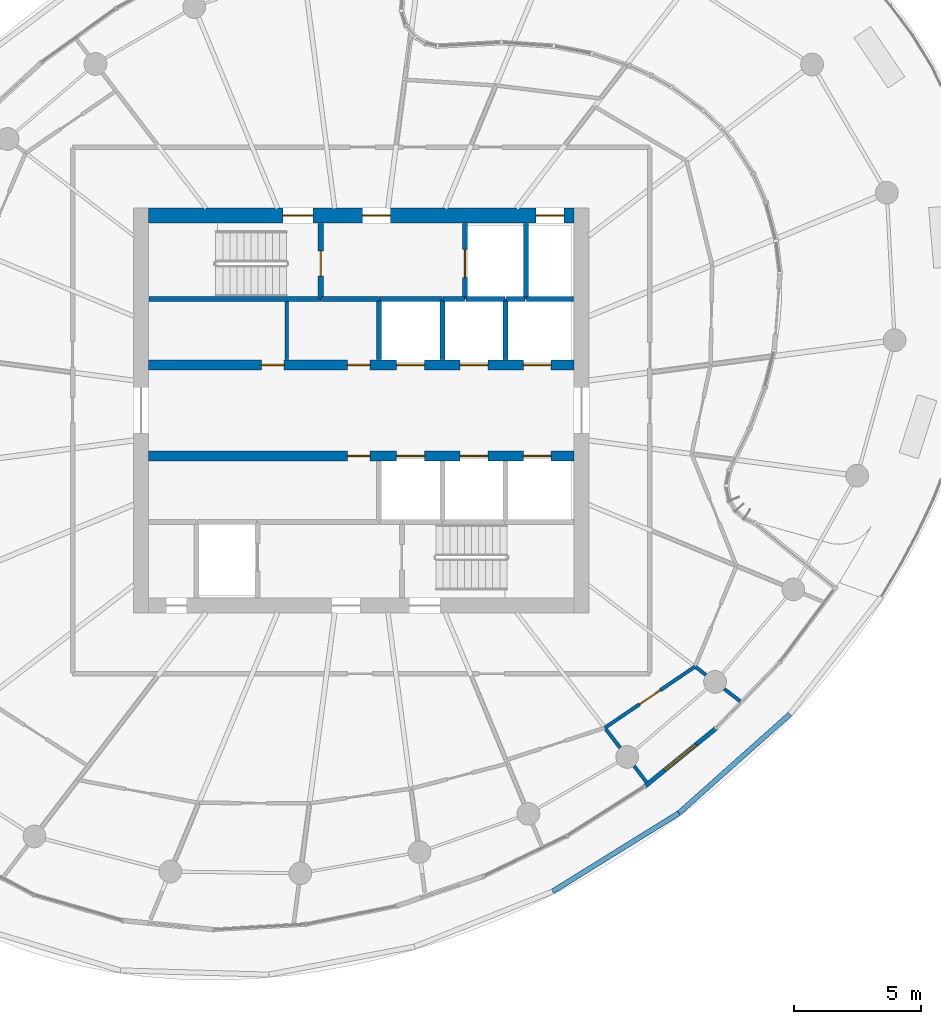
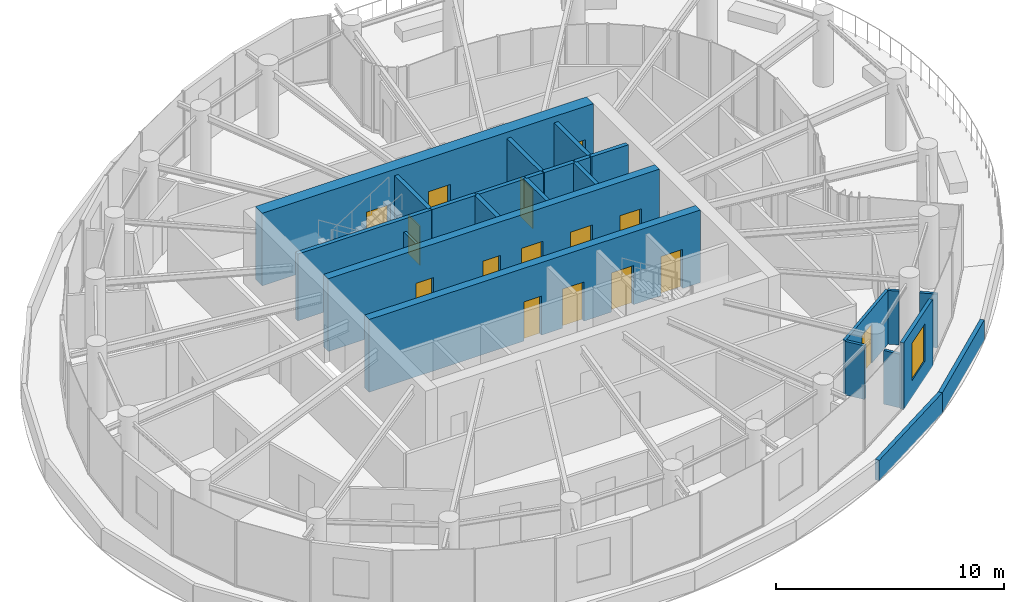
# One storey, part 13 of 19: 25 walls, 15 doors, 1 window, 16 openings.
"""IFC4 building model written with IfcOpenShell, lengths in metres."""

from ifc_helpers import new_model, si_unit, direction, frame, frame_2d, origin, place, context, subcontext, project, spatial, rectangle, extrude, source, transform, mapped, material, layer, layer_set, type_object, element, fill, save


model = new_model("IFC4")

# Units and contexts
model_context = context("Model", 3, precision=1e-05, world=origin(), true_north=direction((0.0, 1.0)))
body_context = subcontext(model_context, "Body", "Model", "MODEL_VIEW")
ifc_project = project(units=[si_unit("LENGTHUNIT", "METRE"), si_unit("AREAUNIT", "SQUARE_METRE"), si_unit("VOLUMEUNIT", "CUBIC_METRE"), si_unit("PLANEANGLEUNIT", "RADIAN"), si_unit("MASSUNIT", "GRAM", prefix="KILO")], contexts=[model_context])

# Site, building, storey
site_placement = place(None, origin())
site = spatial("IfcSite", under=ifc_project, at=site_placement, CompositionType="ELEMENT")
building_placement = place(site_placement, origin())
building = spatial("IfcBuilding", under=site, at=building_placement, Name="Spindrift Exchange Tower", CompositionType="ELEMENT")
storey_placement = place(building_placement, frame((0.0, 0.0, 183.800048828125)))
storey = spatial("IfcBuildingStorey", under=building, at=storey_placement, Name="L44", CompositionType="ELEMENT", Elevation=183.800048828125)

# Walls
ifc_material_1 = material(Name="Concrete 40 MPa", Category="concrete")
ifc_layer_1 = layer(ifc_material_1, 0.199951171875)
ifc_layer_set_1 = layer_set([ifc_layer_1], Name="LEDGE PARAPET 1100")
wall_type_1 = type_object("IfcWallType", Name="LEDGE PARAPET 1100", PredefinedType="PARAPET", material=ifc_layer_set_1)
wall_1_placement = place(storey_placement, frame((68.9248046875, 36.005126953125, 0.0), z_axis=(0.0, 0.0, 1.0), x_axis=(-0.746520458461, -0.665362461444, 0.0)))
element("IfcWall", 1, at=wall_1_placement, inside=storey, type_object=wall_type_1, Name="L44 Ledge Parapet 2", PredefinedType="PARAPET", context=body_context, shape_type="SweptSolid", body=[
    extrude(rectangle(XDim=5.869140625, YDim=0.199951171875, at=frame_2d((2.9345703125, 0.0))), origin(), (0.0, 0.0, 1.0), 1.099853515625),
])
wall_2_placement = place(storey_placement, frame((64.54345703125, 32.10009765625, 0.0), z_axis=(0.0, 0.0, 1.0), x_axis=(-0.849674226438, -0.527307982991, 0.0)))
element("IfcWall", 2, at=wall_2_placement, inside=storey, type_object=wall_type_1, Name="L44 Ledge Parapet 3", PredefinedType="PARAPET", context=body_context, shape_type="SweptSolid", body=[
    extrude(rectangle(XDim=5.869384765625, YDim=0.199951171875, at=frame_2d((2.9345703125, 0.0))), origin(), (0.0, 0.0, 1.0), 1.099853515625),
])

# Wall, openings, doors
ifc_material_2 = material(Name="Concrete 50 MPa", Category="concrete")
ifc_layer_2 = layer(ifc_material_2, 0.60009765625)
ifc_layer_set_2 = layer_set([ifc_layer_2], Name="RC Core Wall 600 Concrete 50 MPa")
wall_type_2 = type_object("IfcWallType", Name="RC Core Wall 600 Concrete 50 MPa", PredefinedType="SHEAR", material=ifc_layer_set_2)
wall_3_placement = place(storey_placement, frame((60.39990234375, 55.699951171875, 0.0), z_axis=(0.0, 0.0, 1.0), x_axis=(-1.0, 0.0, 0.0)))
wall_3 = element("IfcWall", 3, at=wall_3_placement, inside=storey, type_object=wall_type_2, Name="Core wall N L44", PredefinedType="SHEAR", context=body_context, shape_type="SweptSolid", body=[
    extrude(rectangle(XDim=16.7998046875, YDim=0.60009765625, at=frame_2d((8.39990234375, 0.0))), origin(), (0.0, 0.0, 1.0), 3.89990234375),
])
opening_1_placement = place(wall_3_placement, frame((0.39990234375, 0.0, 0.0)))
opening_1 = element("IfcOpeningElement", 4, at=opening_1_placement, cuts=wall_3, Name="Opening L44-D11", PredefinedType="OPENING", context=body_context, shape_type="SweptSolid", body=[
    extrude(rectangle(XDim=1.10009765625, YDim=2.10009765625, at=frame_2d((0.550048828125, 1.050048828125))), frame((0.0, 0.31005859375, 0.0), z_axis=(0.0, -1.0, 0.0), x_axis=(1.0, 0.0, 0.0)), (0.0, 0.0, 1.0), 0.6201171875),
])
opening_2_placement = place(wall_3_placement, frame((10.300048828125, 0.0, 0.0)))
opening_2 = element("IfcOpeningElement", 5, at=opening_2_placement, cuts=wall_3, Name="Opening L44-D12", PredefinedType="OPENING", context=body_context, shape_type="SweptSolid", body=[
    extrude(rectangle(XDim=1.199951171875, YDim=2.10009765625, at=frame_2d((0.60009765625, 1.050048828125))), frame((0.0, 0.31005859375, 0.0), z_axis=(0.0, -1.0, 0.0), x_axis=(1.0, 0.0, 0.0)), (0.0, 0.0, 1.0), 0.6201171875),
])
opening_3_placement = place(wall_3_placement, frame((7.25, 0.0, 0.0)))
opening_3 = element("IfcOpeningElement", 6, at=opening_3_placement, cuts=wall_3, Name="Opening L44-D14", PredefinedType="OPENING", context=body_context, shape_type="SweptSolid", body=[
    extrude(rectangle(XDim=1.10009765625, YDim=2.10009765625, at=frame_2d((0.550048828125, 1.050048828125))), frame((0.0, 0.31005859375, 0.0), z_axis=(0.0, -1.0, 0.0), x_axis=(1.0, 0.0, 0.0)), (0.0, 0.0, 1.0), 0.6201171875),
])
ifc_material_3 = material(Name="Stainless steel landing door", Category="steel")
door_type_1 = type_object("IfcDoorType", Name="DR-LANDING-1100-SL", OperationType="DOUBLE_DOOR_SLIDING", PredefinedType="USERDEFINED", material=ifc_material_3)
shared_shape_1 = source(origin(), body_context, "Body", "SweptSolid", [
    extrude(rectangle(XDim=1.10009765625, YDim=2.10009765625, at=frame_2d((0.550048828125, 1.050048828125))), frame((0.0, 0.02490234375, 0.0), z_axis=(0.0, -1.0, 0.0), x_axis=(1.0, 0.0, 0.0)), (0.0, 0.0, 1.0), 0.050048828125),
])
door_1_placement = place(opening_1_placement, origin())
door_1 = element("IfcDoor", 7, at=door_1_placement, inside=storey, type_object=door_type_1, Name="L44 Lift landing door 11", ObjectType="LANDING DOOR", OperationType="DOUBLE_DOOR_SLIDING", OverallHeight=2.10009765625, OverallWidth=1.10009765625, PredefinedType="USERDEFINED", context=body_context, shape_type="MappedRepresentation", body=[
    mapped(shared_shape_1, transform((0.0, 0.0, 0.0), scale=1.0)),
])
fill(opening_1, door_1)
ifc_material_4 = material(Name="Steel fire door", Category="steel")
door_type_2 = type_object("IfcDoorType", Name="DR-STAIR-1200", OperationType="NOTDEFINED", PredefinedType="DOOR", material=ifc_material_4)
shared_shape_2 = source(origin(), body_context, "Body", "SweptSolid", [
    extrude(rectangle(XDim=1.199951171875, YDim=2.10009765625, at=frame_2d((0.60009765625, 1.050048828125))), frame((0.0, 0.02490234375, 0.0), z_axis=(0.0, -1.0, 0.0), x_axis=(1.0, 0.0, 0.0)), (0.0, 0.0, 1.0), 0.050048828125),
])
door_2_placement = place(opening_2_placement, origin())
door_2 = element("IfcDoor", 8, at=door_2_placement, inside=storey, type_object=door_type_2, Name="L44 Stair door 12", OperationType="SINGLE_SWING_LEFT", OverallHeight=2.10009765625, OverallWidth=1.199951171875, PredefinedType="DOOR", context=body_context, shape_type="MappedRepresentation", body=[
    mapped(shared_shape_2, transform((0.0, 0.0, 0.0), scale=1.0)),
])
fill(opening_2, door_2)
ifc_material_5 = material(Name="Timber-core fire door", Category="wood")
door_type_3 = type_object("IfcDoorType", Name="DR-LOBBY-1100", OperationType="NOTDEFINED", PredefinedType="DOOR", material=ifc_material_5)
shared_shape_3 = source(origin(), body_context, "Body", "SweptSolid", [
    extrude(rectangle(XDim=1.10009765625, YDim=2.10009765625, at=frame_2d((0.550048828125, 1.050048828125))), frame((0.0, 0.02490234375, 0.0), z_axis=(0.0, -1.0, 0.0), x_axis=(1.0, 0.0, 0.0)), (0.0, 0.0, 1.0), 0.050048828125),
])
door_3_placement = place(opening_3_placement, origin())
door_3 = element("IfcDoor", 9, at=door_3_placement, inside=storey, type_object=door_type_3, Name="L44 Lobby door 14", OperationType="SINGLE_SWING_LEFT", OverallHeight=2.10009765625, OverallWidth=1.10009765625, PredefinedType="DOOR", context=body_context, shape_type="MappedRepresentation", body=[
    mapped(shared_shape_3, transform((0.0, 0.0, 0.0), scale=1.0)),
])
fill(opening_3, door_3)

ifc_layer_3 = layer(ifc_material_2, 0.39990234375)
ifc_layer_set_3 = layer_set([ifc_layer_3], Name="RC Spine Wall 400 Concrete 50 MPa")
wall_type_3 = type_object("IfcWallType", Name="RC Spine Wall 400 Concrete 50 MPa", PredefinedType="SHEAR", material=ifc_layer_set_3)
wall_4_placement = place(storey_placement, frame((43.60009765625, 49.800048828125, 0.0), z_axis=(0.0, 0.0, 1.0), x_axis=(1.0, 0.0, 0.0)))
wall_4 = element("IfcWall", 10, at=wall_4_placement, inside=storey, type_object=wall_type_3, Name="Core spine wall N L44", PredefinedType="SHEAR", context=body_context, shape_type="SweptSolid", body=[
    extrude(rectangle(XDim=16.7998046875, YDim=0.39990234375, at=frame_2d((8.39990234375, 0.0))), origin(), (0.0, 0.0, 1.0), 3.89990234375),
])
opening_4_placement = place(wall_4_placement, frame((9.800048828125, 0.0, 0.0)))
opening_4 = element("IfcOpeningElement", 11, at=opening_4_placement, cuts=wall_4, Name="Opening L44-D3", PredefinedType="OPENING", context=body_context, shape_type="SweptSolid", body=[
    extrude(rectangle(XDim=1.10009765625, YDim=2.10009765625, at=frame_2d((0.550048828125, 1.050048828125))), frame((0.0, 0.2099609375, 0.0), z_axis=(0.0, -1.0, 0.0), x_axis=(1.0, 0.0, 0.0)), (0.0, 0.0, 1.0), 0.419921875),
])
opening_5_placement = place(wall_4_placement, frame((12.300048828125, 0.0, 0.0)))
opening_5 = element("IfcOpeningElement", 12, at=opening_5_placement, cuts=wall_4, Name="Opening L44-D4", PredefinedType="OPENING", context=body_context, shape_type="SweptSolid", body=[
    extrude(rectangle(XDim=1.10009765625, YDim=2.10009765625, at=frame_2d((0.550048828125, 1.050048828125))), frame((0.0, 0.2099609375, 0.0), z_axis=(0.0, -1.0, 0.0), x_axis=(1.0, 0.0, 0.0)), (0.0, 0.0, 1.0), 0.419921875),
])
opening_6_placement = place(wall_4_placement, frame((14.800048828125, 0.0, 0.0)))
opening_6 = element("IfcOpeningElement", 13, at=opening_6_placement, cuts=wall_4, Name="Opening L44-D5", PredefinedType="OPENING", context=body_context, shape_type="SweptSolid", body=[
    extrude(rectangle(XDim=1.10009765625, YDim=2.10009765625, at=frame_2d((0.550048828125, 1.050048828125))), frame((0.0, 0.2099609375, 0.0), z_axis=(0.0, -1.0, 0.0), x_axis=(1.0, 0.0, 0.0)), (0.0, 0.0, 1.0), 0.419921875),
])
opening_7_placement = place(wall_4_placement, frame((4.449951171875, 0.0, 0.0)))
opening_7 = element("IfcOpeningElement", 14, at=opening_7_placement, cuts=wall_4, Name="Opening L44-D46", PredefinedType="OPENING", context=body_context, shape_type="SweptSolid", body=[
    extrude(rectangle(XDim=0.89990234375, YDim=2.10009765625, at=frame_2d((0.449951171875, 1.050048828125))), frame((0.0, 0.2099609375, 0.0), z_axis=(0.0, -1.0, 0.0), x_axis=(1.0, 0.0, 0.0)), (0.0, 0.0, 1.0), 0.419921875),
])
opening_8_placement = place(wall_4_placement, frame((7.85009765625, 0.0, 0.0)))
opening_8 = element("IfcOpeningElement", 15, at=opening_8_placement, cuts=wall_4, Name="Opening L44-D47", PredefinedType="OPENING", context=body_context, shape_type="SweptSolid", body=[
    extrude(rectangle(XDim=0.89990234375, YDim=2.10009765625, at=frame_2d((0.449951171875, 1.050048828125))), frame((0.0, 0.2099609375, 0.0), z_axis=(0.0, -1.0, 0.0), x_axis=(1.0, 0.0, 0.0)), (0.0, 0.0, 1.0), 0.419921875),
])
door_4_placement = place(opening_4_placement, origin())
door_4 = element("IfcDoor", 16, at=door_4_placement, inside=storey, type_object=door_type_1, Name="L44 Lift landing door 3", ObjectType="LANDING DOOR", OperationType="DOUBLE_DOOR_SLIDING", OverallHeight=2.10009765625, OverallWidth=1.10009765625, PredefinedType="USERDEFINED", context=body_context, shape_type="MappedRepresentation", body=[
    mapped(shared_shape_1, transform((0.0, 0.0, 0.0), scale=1.0)),
])
fill(opening_4, door_4)
door_5_placement = place(opening_5_placement, origin())
door_5 = element("IfcDoor", 17, at=door_5_placement, inside=storey, type_object=door_type_1, Name="L44 Lift landing door 4", ObjectType="LANDING DOOR", OperationType="DOUBLE_DOOR_SLIDING", OverallHeight=2.10009765625, OverallWidth=1.10009765625, PredefinedType="USERDEFINED", context=body_context, shape_type="MappedRepresentation", body=[
    mapped(shared_shape_1, transform((0.0, 0.0, 0.0), scale=1.0)),
])
fill(opening_5, door_5)
door_6_placement = place(opening_6_placement, origin())
door_6 = element("IfcDoor", 18, at=door_6_placement, inside=storey, type_object=door_type_1, Name="L44 Lift landing door 5", ObjectType="LANDING DOOR", OperationType="DOUBLE_DOOR_SLIDING", OverallHeight=2.10009765625, OverallWidth=1.10009765625, PredefinedType="USERDEFINED", context=body_context, shape_type="MappedRepresentation", body=[
    mapped(shared_shape_1, transform((0.0, 0.0, 0.0), scale=1.0)),
])
fill(opening_6, door_6)
ifc_material_6 = material(Name="Steel access door", Category="steel")
door_type_4 = type_object("IfcDoorType", Name="DR-RISER-900", OperationType="NOTDEFINED", PredefinedType="DOOR", material=ifc_material_6)
shared_shape_4 = source(origin(), body_context, "Body", "SweptSolid", [
    extrude(rectangle(XDim=0.89990234375, YDim=2.10009765625, at=frame_2d((0.449951171875, 1.050048828125))), frame((0.0, 0.02490234375, 0.0), z_axis=(0.0, -1.0, 0.0), x_axis=(1.0, 0.0, 0.0)), (0.0, 0.0, 1.0), 0.050048828125),
])
door_7_placement = place(opening_7_placement, origin())
door_7 = element("IfcDoor", 19, at=door_7_placement, inside=storey, type_object=door_type_4, Name="L44 Riser door 46", OperationType="SINGLE_SWING_LEFT", OverallHeight=2.10009765625, OverallWidth=0.89990234375, PredefinedType="DOOR", context=body_context, shape_type="MappedRepresentation", body=[
    mapped(shared_shape_4, transform((0.0, 0.0, 0.0), scale=1.0)),
])
fill(opening_7, door_7)
door_8_placement = place(opening_8_placement, origin())
door_8 = element("IfcDoor", 20, at=door_8_placement, inside=storey, type_object=door_type_4, Name="L44 Riser door 47", OperationType="SINGLE_SWING_RIGHT", OverallHeight=2.10009765625, OverallWidth=0.89990234375, PredefinedType="DOOR", context=body_context, shape_type="MappedRepresentation", body=[
    mapped(shared_shape_4, transform((0.0, 0.0, 0.0), scale=1.0)),
])
fill(opening_8, door_8)

wall_5_placement = place(storey_placement, frame((43.60009765625, 46.199951171875, 0.0), z_axis=(0.0, 0.0, 1.0), x_axis=(1.0, 0.0, 0.0)))
wall_5 = element("IfcWall", 21, at=wall_5_placement, inside=storey, type_object=wall_type_3, Name="Core spine wall S L44", PredefinedType="SHEAR", context=body_context, shape_type="SweptSolid", body=[
    extrude(rectangle(XDim=16.7998046875, YDim=0.39990234375, at=frame_2d((8.39990234375, 0.0))), origin(), (0.0, 0.0, 1.0), 3.89990234375),
])
opening_9_placement = place(wall_5_placement, frame((9.800048828125, 0.0, 0.0)))
opening_9 = element("IfcOpeningElement", 22, at=opening_9_placement, cuts=wall_5, Name="Opening L44-D6", PredefinedType="OPENING", context=body_context, shape_type="SweptSolid", body=[
    extrude(rectangle(XDim=1.10009765625, YDim=2.10009765625, at=frame_2d((0.550048828125, 1.050048828125))), frame((0.0, 0.2099609375, 0.0), z_axis=(0.0, -1.0, 0.0), x_axis=(1.0, 0.0, 0.0)), (0.0, 0.0, 1.0), 0.419921875),
])
opening_10_placement = place(wall_5_placement, frame((12.300048828125, 0.0, 0.0)))
opening_10 = element("IfcOpeningElement", 23, at=opening_10_placement, cuts=wall_5, Name="Opening L44-D7", PredefinedType="OPENING", context=body_context, shape_type="SweptSolid", body=[
    extrude(rectangle(XDim=1.10009765625, YDim=2.10009765625, at=frame_2d((0.550048828125, 1.050048828125))), frame((0.0, 0.2099609375, 0.0), z_axis=(0.0, -1.0, 0.0), x_axis=(1.0, 0.0, 0.0)), (0.0, 0.0, 1.0), 0.419921875),
])
opening_11_placement = place(wall_5_placement, frame((14.800048828125, 0.0, 0.0)))
opening_11 = element("IfcOpeningElement", 24, at=opening_11_placement, cuts=wall_5, Name="Opening L44-D8", PredefinedType="OPENING", context=body_context, shape_type="SweptSolid", body=[
    extrude(rectangle(XDim=1.10009765625, YDim=2.10009765625, at=frame_2d((0.550048828125, 1.050048828125))), frame((0.0, 0.2099609375, 0.0), z_axis=(0.0, -1.0, 0.0), x_axis=(1.0, 0.0, 0.0)), (0.0, 0.0, 1.0), 0.419921875),
])
opening_12_placement = place(wall_5_placement, frame((7.85009765625, 0.0, 0.0)))
opening_12 = element("IfcOpeningElement", 25, at=opening_12_placement, cuts=wall_5, Name="Opening L44-D48", PredefinedType="OPENING", context=body_context, shape_type="SweptSolid", body=[
    extrude(rectangle(XDim=0.89990234375, YDim=2.10009765625, at=frame_2d((0.449951171875, 1.050048828125))), frame((0.0, 0.2099609375, 0.0), z_axis=(0.0, -1.0, 0.0), x_axis=(1.0, 0.0, 0.0)), (0.0, 0.0, 1.0), 0.419921875),
])
door_9_placement = place(opening_9_placement, origin())
door_9 = element("IfcDoor", 26, at=door_9_placement, inside=storey, type_object=door_type_1, Name="L44 Lift landing door 6", ObjectType="LANDING DOOR", OperationType="DOUBLE_DOOR_SLIDING", OverallHeight=2.10009765625, OverallWidth=1.10009765625, PredefinedType="USERDEFINED", context=body_context, shape_type="MappedRepresentation", body=[
    mapped(shared_shape_1, transform((0.0, 0.0, 0.0), scale=1.0)),
])
fill(opening_9, door_9)
door_10_placement = place(opening_10_placement, origin())
door_10 = element("IfcDoor", 27, at=door_10_placement, inside=storey, type_object=door_type_1, Name="L44 Lift landing door 7", ObjectType="LANDING DOOR", OperationType="DOUBLE_DOOR_SLIDING", OverallHeight=2.10009765625, OverallWidth=1.10009765625, PredefinedType="USERDEFINED", context=body_context, shape_type="MappedRepresentation", body=[
    mapped(shared_shape_1, transform((0.0, 0.0, 0.0), scale=1.0)),
])
fill(opening_10, door_10)
door_11_placement = place(opening_11_placement, origin())
door_11 = element("IfcDoor", 28, at=door_11_placement, inside=storey, type_object=door_type_1, Name="L44 Lift landing door 8", ObjectType="LANDING DOOR", OperationType="DOUBLE_DOOR_SLIDING", OverallHeight=2.10009765625, OverallWidth=1.10009765625, PredefinedType="USERDEFINED", context=body_context, shape_type="MappedRepresentation", body=[
    mapped(shared_shape_1, transform((0.0, 0.0, 0.0), scale=1.0)),
])
fill(opening_11, door_11)
door_12_placement = place(opening_12_placement, origin())
door_12 = element("IfcDoor", 29, at=door_12_placement, inside=storey, type_object=door_type_4, Name="L44 Riser door 48", OperationType="SINGLE_SWING_LEFT", OverallHeight=2.10009765625, OverallWidth=0.89990234375, PredefinedType="DOOR", context=body_context, shape_type="MappedRepresentation", body=[
    mapped(shared_shape_4, transform((0.0, 0.0, 0.0), scale=1.0)),
])
fill(opening_12, door_12)

# Wall, opening, window
ifc_material_7 = material(Name="Bronze anodised aluminium frame with fritted laminated glass spandrel", Category="aluminium")
ifc_layer_4 = layer(ifc_material_7, 0.179931640625)
ifc_layer_set_4 = layer_set([ifc_layer_4], Name="UNITISED FRAME WALL")
wall_type_4 = type_object("IfcWallType", Name="UNITISED FRAME WALL", PredefinedType="STANDARD", material=ifc_layer_set_4)
wall_6_placement = place(storey_placement, frame((63.212890625, 33.168701171875, 0.0), z_axis=(0.0, 0.0, 1.0), x_axis=(0.775083979565, 0.631858231426, 0.0)))
wall_6 = element("IfcWall", 30, at=wall_6_placement, inside=storey, type_object=wall_type_4, Name="L44 Frame Wall 23", PredefinedType="STANDARD", context=body_context, shape_type="SweptSolid", body=[
    extrude(rectangle(XDim=3.577880859375, YDim=0.179931640625, at=frame_2d((1.7890625, 0.0))), origin(), (0.0, 0.0, 1.0), 3.579833984375),
])
opening_13_placement = place(wall_6_placement, frame((0.989013671875, 0.0, 0.89990234375)))
opening_13 = element("IfcOpeningElement", 31, at=opening_13_placement, cuts=wall_6, Name="Opening WV44-08", PredefinedType="OPENING", context=body_context, shape_type="SweptSolid", body=[
    extrude(rectangle(XDim=1.60009765625, YDim=2.0, at=frame_2d((0.800048828125, 1.0))), frame((0.0, 0.099853515625, 0.0), z_axis=(0.0, -1.0, 0.0), x_axis=(1.0, 0.0, 0.0)), (0.0, 0.0, 1.0), 0.199951171875),
])
ifc_material_8 = material(Name="Clear laminated low-iron glass in bronze frame", Category="glass")
window_type = type_object("IfcWindowType", Name="OPERABLE CLEAR VENT 1600X2000", PartitioningType="SINGLE_PANEL", PredefinedType="WINDOW", material=ifc_material_8)
shared_shape_5 = source(origin(), body_context, "Body", "SweptSolid", [
    extrude(rectangle(XDim=1.60009765625, YDim=2.0, at=frame_2d((0.800048828125, 1.0))), frame((0.0, 0.030029296875, 0.0), z_axis=(0.0, -1.0, 0.0), x_axis=(1.0, 0.0, 0.0)), (0.0, 0.0, 1.0), 0.06005859375),
])
window_placement = place(opening_13_placement, origin())
window = element("IfcWindow", 32, at=window_placement, inside=storey, type_object=window_type, Name="L44 Operable Vent WV44-08", OverallHeight=2.0, OverallWidth=1.60009765625, PartitioningType="SINGLE_PANEL", PredefinedType="WINDOW", context=body_context, shape_type="MappedRepresentation", body=[
    mapped(shared_shape_5, transform((0.0, 0.0, 0.0), scale=1.0)),
])
fill(opening_13, window)

# Wall, opening, door
ifc_material_9 = material(Name="Fire-rated plasterboard partition", Category="gypsum")
ifc_layer_5 = layer(ifc_material_9, 0.139892578125)
ifc_layer_set_5 = layer_set([ifc_layer_5], Name="W-PART-140")
wall_type_5 = type_object("IfcWallType", Name="W-PART-140", PredefinedType="PARTITIONING", material=ifc_layer_set_5)
wall_7_placement = place(storey_placement, frame((65.181640625, 37.885498046875, 0.0), z_axis=(0.0, 0.0, 1.0), x_axis=(-0.827453202768, -0.561534680344, 0.0)))
wall_7 = element("IfcWall", 33, at=wall_7_placement, inside=storey, type_object=wall_type_5, Name="L44 Partition wall 42", PredefinedType="PARTITIONING", context=body_context, shape_type="SweptSolid", body=[
    extrude(rectangle(XDim=4.307861328125, YDim=0.139892578125, at=frame_2d((2.15380859375, 0.0))), origin(), (0.0, 0.0, 1.0), 2.8798828125),
])
opening_14_placement = place(wall_7_placement, frame((1.65771484375, 0.0, 0.0)))
opening_14 = element("IfcOpeningElement", 34, at=opening_14_placement, cuts=wall_7, Name="Opening L44-D41", PredefinedType="OPENING", context=body_context, shape_type="SweptSolid", body=[
    extrude(rectangle(XDim=1.0, YDim=2.10009765625, at=frame_2d((0.5, 1.050048828125))), frame((0.0, 0.079833984375, 0.0), z_axis=(0.0, -1.0, 0.0), x_axis=(1.0, 0.0, 0.0)), (0.0, 0.0, 1.0), 0.159912109375),
])
door_type_5 = type_object("IfcDoorType", Name="DR-ROOM-1000", OperationType="NOTDEFINED", PredefinedType="DOOR", material=ifc_material_5)
shared_shape_6 = source(origin(), body_context, "Body", "SweptSolid", [
    extrude(rectangle(XDim=1.0, YDim=2.10009765625, at=frame_2d((0.5, 1.050048828125))), frame((0.0, 0.02490234375, 0.0), z_axis=(0.0, -1.0, 0.0), x_axis=(1.0, 0.0, 0.0)), (0.0, 0.0, 1.0), 0.050048828125),
])
door_13_placement = place(opening_14_placement, origin())
door_13 = element("IfcDoor", 35, at=door_13_placement, inside=storey, type_object=door_type_5, Name="L44 Door 41", OperationType="SINGLE_SWING_RIGHT", OverallHeight=2.10009765625, OverallWidth=1.0, PredefinedType="DOOR", context=body_context, shape_type="MappedRepresentation", body=[
    mapped(shared_shape_6, transform((0.0, 0.0, 0.0), scale=1.0)),
])
fill(opening_14, door_13)

# Walls
wall_8_placement = place(storey_placement, frame((49.06005859375, 50.010009765625, 0.0), z_axis=(0.0, 0.0, 1.0), x_axis=(0.0, 1.0, 0.0)))
element("IfcWall", 36, at=wall_8_placement, inside=storey, type_object=wall_type_5, Name="L44 Partition wall 67", PredefinedType="PARTITIONING", context=body_context, shape_type="SweptSolid", body=[
    extrude(rectangle(XDim=2.2900390625, YDim=0.139892578125, at=frame_2d((1.14501953125, 0.0))), origin(), (0.0, 0.0, 1.0), 2.8798828125),
])
wall_9_placement = place(storey_placement, frame((61.659912109375, 35.410888671875, 0.0), z_axis=(0.0, 0.0, 1.0), x_axis=(0.608753072392, -0.793359752479, 0.0)))
element("IfcWall", 37, at=wall_9_placement, inside=storey, type_object=wall_type_5, Name="L44 Partition wall 82", PredefinedType="PARTITIONING", context=body_context, shape_type="SweptSolid", body=[
    extrude(rectangle(XDim=0.92431640625, YDim=0.139892578125, at=frame_2d((0.462158203125, 0.0))), origin(), (0.0, 0.0, 1.0), 2.8798828125),
])
wall_10_placement = place(storey_placement, frame((66.33154296875, 37.0029296875, 0.0), z_axis=(0.0, 0.0, 1.0), x_axis=(0.793364436395, -0.608746968011, 0.0)))
element("IfcWall", 38, at=wall_10_placement, inside=storey, type_object=wall_type_5, Name="L44 Partition wall 89", PredefinedType="PARTITIONING", context=body_context, shape_type="SweptSolid", body=[
    extrude(rectangle(XDim=0.796142578125, YDim=0.139892578125, at=frame_2d((0.39794921875, 0.0))), origin(), (0.0, 0.0, 1.0), 2.8798828125),
])
wall_11_placement = place(storey_placement, frame((62.77587890625, 33.956298828125, 0.0), z_axis=(0.0, 0.0, 1.0), x_axis=(0.608959740389, -0.793201131231, 0.0)))
element("IfcWall", 39, at=wall_11_placement, inside=storey, type_object=wall_type_5, Name="L44 Partition wall 92", PredefinedType="PARTITIONING", context=body_context, shape_type="SweptSolid", body=[
    extrude(rectangle(XDim=0.785888671875, YDim=0.139892578125, at=frame_2d((0.39306640625, 0.0))), origin(), (0.0, 0.0, 1.0), 2.8798828125),
])
wall_12_placement = place(storey_placement, frame((65.205322265625, 37.8671875, 0.0), z_axis=(0.0, 0.0, 1.0), x_axis=(0.793352294755, -0.608762791575, 0.0)))
element("IfcWall", 40, at=wall_12_placement, inside=storey, type_object=wall_type_5, Name="L44 Partition wall 93", PredefinedType="PARTITIONING", context=body_context, shape_type="SweptSolid", body=[
    extrude(rectangle(XDim=0.510498046875, YDim=0.139892578125, at=frame_2d((0.25537109375, 0.0))), origin(), (0.0, 0.0, 1.0), 2.8798828125),
])

# Wall, opening, door
ifc_layer_6 = layer(ifc_material_1, 0.199951171875)
ifc_layer_set_6 = layer_set([ifc_layer_6], Name="W-SHAFT-200")
wall_type_6 = type_object("IfcWallType", Name="W-SHAFT-200", PredefinedType="SOLIDWALL", material=ifc_layer_set_6)
wall_13_placement = place(storey_placement, frame((56.10009765625, 55.3798828125, 0.0), z_axis=(0.0, 0.0, 1.0), x_axis=(0.0, -1.0, 0.0)))
wall_13 = element("IfcWall", 41, at=wall_13_placement, inside=storey, type_object=wall_type_6, Name="L44 Shaft wall 7", PredefinedType="SOLIDWALL", context=body_context, shape_type="SweptSolid", body=[
    extrude(rectangle(XDim=2.97998046875, YDim=0.199951171875, at=frame_2d((1.489990234375, 0.0))), origin(), (0.0, 0.0, 1.0), 3.579833984375),
])
opening_15_placement = place(wall_13_placement, frame((1.030029296875, 0.0, 0.0)))
opening_15 = element("IfcOpeningElement", 42, at=opening_15_placement, cuts=wall_13, Name="Opening L44-D9", PredefinedType="OPENING", context=body_context, shape_type="SweptSolid", body=[
    extrude(rectangle(XDim=1.10009765625, YDim=2.10009765625, at=frame_2d((0.550048828125, 1.050048828125))), frame((0.0, 0.10986328125, 0.0), z_axis=(0.0, -1.0, 0.0), x_axis=(1.0, 0.0, 0.0)), (0.0, 0.0, 1.0), 0.219970703125),
])
door_14_placement = place(opening_15_placement, origin())
door_14 = element("IfcDoor", 43, at=door_14_placement, inside=storey, type_object=door_type_1, Name="L44 Lift landing door 9", ObjectType="LANDING DOOR", OperationType="DOUBLE_DOOR_SLIDING", OverallHeight=2.10009765625, OverallWidth=1.10009765625, PredefinedType="USERDEFINED", context=body_context, shape_type="MappedRepresentation", body=[
    mapped(shared_shape_1, transform((0.0, 0.0, 0.0), scale=1.0)),
])
fill(opening_15, door_14)

# Walls
wall_14_placement = place(storey_placement, frame((58.5, 52.39990234375, 0.0), z_axis=(0.0, 0.0, 1.0), x_axis=(0.0, 1.0, 0.0)))
element("IfcWall", 44, at=wall_14_placement, inside=storey, type_object=wall_type_6, Name="L44 Shaft wall 8", PredefinedType="SOLIDWALL", context=body_context, shape_type="SweptSolid", body=[
    extrude(rectangle(XDim=2.97998046875, YDim=0.199951171875, at=frame_2d((1.489990234375, 0.0))), origin(), (0.0, 0.0, 1.0), 3.579833984375),
])
wall_15_placement = place(storey_placement, frame((55.199951171875, 52.39990234375, 0.0), z_axis=(0.0, 0.0, 1.0), x_axis=(-1.0, 0.0, 0.0)))
element("IfcWall", 45, at=wall_15_placement, inside=storey, type_object=wall_type_6, Name="L44 Shaft wall 10", PredefinedType="SOLIDWALL", context=body_context, shape_type="SweptSolid", body=[
    extrude(rectangle(XDim=2.5, YDim=0.199951171875, at=frame_2d((1.25, 0.0))), origin(), (0.0, 0.0, 1.0), 3.579833984375),
])
for number, where, z_axis, x_axis, name in (
    (46, (52.699951171875, 52.3701171875, 0.0), (0.0, 0.0, 1.0), (0.0, -1.0, 0.0), "L44 Shaft wall 14"),
    (47, (55.199951171875, 50.010009765625, 0.0), (0.0, 0.0, 1.0), (0.0, 1.0, 0.0), "L44 Shaft wall 16"),
):
    element("IfcWall", number, at=place(storey_placement, frame(where, z_axis=z_axis, x_axis=x_axis)), inside=storey, type_object=wall_type_6, Name=name, PredefinedType="SOLIDWALL", context=body_context, shape_type="SweptSolid", body=[
        extrude(rectangle(XDim=2.360107421875, YDim=0.199951171875, at=frame_2d((1.18017578125, 0.0))), origin(), (0.0, 0.0, 1.0), 3.579833984375),
    ])
wall_16_placement = place(storey_placement, frame((57.699951171875, 50.010009765625, 0.0), z_axis=(0.0, 0.0, 1.0), x_axis=(0.0, 1.0, 0.0)))
element("IfcWall", 48, at=wall_16_placement, inside=storey, type_object=wall_type_6, Name="L44 Shaft wall 18", PredefinedType="SOLIDWALL", context=body_context, shape_type="SweptSolid", body=[
    extrude(rectangle(XDim=2.389892578125, YDim=0.199951171875, at=frame_2d((1.19482421875, 0.0))), origin(), (0.0, 0.0, 1.0), 3.579833984375),
])
wall_17_placement = place(storey_placement, frame((60.3798828125, 52.39990234375, 0.0), z_axis=(0.0, 0.0, 1.0), x_axis=(-1.0, 0.0, 0.0)))
element("IfcWall", 49, at=wall_17_placement, inside=storey, type_object=wall_type_6, Name="L44 Shaft wall 21", PredefinedType="SOLIDWALL", context=body_context, shape_type="SweptSolid", body=[
    extrude(rectangle(XDim=1.849853515625, YDim=0.199951171875, at=frame_2d((0.9248046875, 0.0))), origin(), (0.0, 0.0, 1.0), 3.579833984375),
])
wall_18_placement = place(storey_placement, frame((57.669921875, 52.39990234375, 0.0), z_axis=(0.0, 0.0, 1.0), x_axis=(-1.0, 0.0, 0.0)))
element("IfcWall", 50, at=wall_18_placement, inside=storey, type_object=wall_type_6, Name="L44 Shaft wall 23", PredefinedType="SOLIDWALL", context=body_context, shape_type="SweptSolid", body=[
    extrude(rectangle(XDim=1.5400390625, YDim=0.199951171875, at=frame_2d((0.77001953125, 0.0))), origin(), (0.0, 0.0, 1.0), 3.579833984375),
])
wall_19_placement = place(storey_placement, frame((56.070068359375, 52.39990234375, 0.0), z_axis=(0.0, 0.0, 1.0), x_axis=(-1.0, 0.0, 0.0)))
element("IfcWall", 51, at=wall_19_placement, inside=storey, type_object=wall_type_6, Name="L44 Shaft wall 25", PredefinedType="SOLIDWALL", context=body_context, shape_type="SweptSolid", body=[
    extrude(rectangle(XDim=0.840087890625, YDim=0.199951171875, at=frame_2d((0.419921875, 0.0))), origin(), (0.0, 0.0, 1.0), 3.579833984375),
])
wall_20_placement = place(storey_placement, frame((58.469970703125, 52.39990234375, 0.0), z_axis=(0.0, 0.0, 1.0), x_axis=(-1.0, 0.0, 0.0)))
element("IfcWall", 52, at=wall_20_placement, inside=storey, type_object=wall_type_6, Name="L44 Shaft wall 26", PredefinedType="SOLIDWALL", context=body_context, shape_type="SweptSolid", body=[
    extrude(rectangle(XDim=0.739990234375, YDim=0.199951171875, at=frame_2d((0.3701171875, 0.0))), origin(), (0.0, 0.0, 1.0), 3.579833984375),
])
ifc_layer_7 = layer(ifc_material_1, 0.199951171875)
ifc_layer_set_7 = layer_set([ifc_layer_7], Name="W-SHAFT-200-LB")
wall_type_7 = type_object("IfcWallType", Name="W-SHAFT-200-LB", PredefinedType="SOLIDWALL", material=ifc_layer_set_7)
wall_21_placement = place(storey_placement, frame((43.6201171875, 52.39990234375, 0.0), z_axis=(0.0, 0.0, 1.0), x_axis=(1.0, 0.0, 0.0)))
element("IfcWall", 53, at=wall_21_placement, inside=storey, type_object=wall_type_7, Name="L44 Shaft wall 1", PredefinedType="SOLIDWALL", context=body_context, shape_type="SweptSolid", body=[
    extrude(rectangle(XDim=6.77978515625, YDim=0.199951171875, at=frame_2d((3.389892578125, 0.0))), origin(), (0.0, 0.0, 1.0), 3.579833984375),
])

# Wall, opening, door
wall_22_placement = place(storey_placement, frame((50.39990234375, 52.429931640625, 0.0), z_axis=(0.0, 0.0, 1.0), x_axis=(0.0, 1.0, 0.0)))
wall_22 = element("IfcWall", 54, at=wall_22_placement, inside=storey, type_object=wall_type_7, Name="L44 Shaft wall 5", PredefinedType="SOLIDWALL", context=body_context, shape_type="SweptSolid", body=[
    extrude(rectangle(XDim=2.949951171875, YDim=0.199951171875, at=frame_2d((1.47509765625, 0.0))), origin(), (0.0, 0.0, 1.0), 3.579833984375),
])
opening_16_placement = place(wall_22_placement, frame((0.8701171875, 0.0, 0.0)))
opening_16 = element("IfcOpeningElement", 55, at=opening_16_placement, cuts=wall_22, Name="Opening L44-D13", PredefinedType="OPENING", context=body_context, shape_type="SweptSolid", body=[
    extrude(rectangle(XDim=1.0, YDim=2.10009765625, at=frame_2d((0.5, 1.050048828125))), frame((0.0, 0.10986328125, 0.0), z_axis=(0.0, -1.0, 0.0), x_axis=(1.0, 0.0, 0.0)), (0.0, 0.0, 1.0), 0.219970703125),
])
door_type_6 = type_object("IfcDoorType", Name="DR-STAIR-1000", OperationType="NOTDEFINED", PredefinedType="DOOR", material=ifc_material_4)
shared_shape_7 = source(origin(), body_context, "Body", "SweptSolid", [
    extrude(rectangle(XDim=1.0, YDim=2.10009765625, at=frame_2d((0.5, 1.050048828125))), frame((0.0, 0.02490234375, 0.0), z_axis=(0.0, -1.0, 0.0), x_axis=(1.0, 0.0, 0.0)), (0.0, 0.0, 1.0), 0.050048828125),
])
door_15_placement = place(opening_16_placement, origin())
door_15 = element("IfcDoor", 56, at=door_15_placement, inside=storey, type_object=door_type_6, Name="L44 Stair door 13", OperationType="SINGLE_SWING_RIGHT", OverallHeight=2.10009765625, OverallWidth=1.0, PredefinedType="DOOR", context=body_context, shape_type="MappedRepresentation", body=[
    mapped(shared_shape_7, transform((0.0, 0.0, 0.0), scale=1.0)),
])
fill(opening_16, door_15)

# Wall
wall_23_placement = place(storey_placement, frame((50.429931640625, 52.39990234375, 0.0), z_axis=(0.0, 0.0, 1.0), x_axis=(1.0, 0.0, 0.0)))
element("IfcWall", 57, at=wall_23_placement, inside=storey, type_object=wall_type_7, Name="L44 Shaft wall 19", PredefinedType="SOLIDWALL", context=body_context, shape_type="SweptSolid", body=[
    extrude(rectangle(XDim=2.239990234375, YDim=0.199951171875, at=frame_2d((1.1201171875, 0.0))), origin(), (0.0, 0.0, 1.0), 3.579833984375),
])

save(model, "model.ifc")
